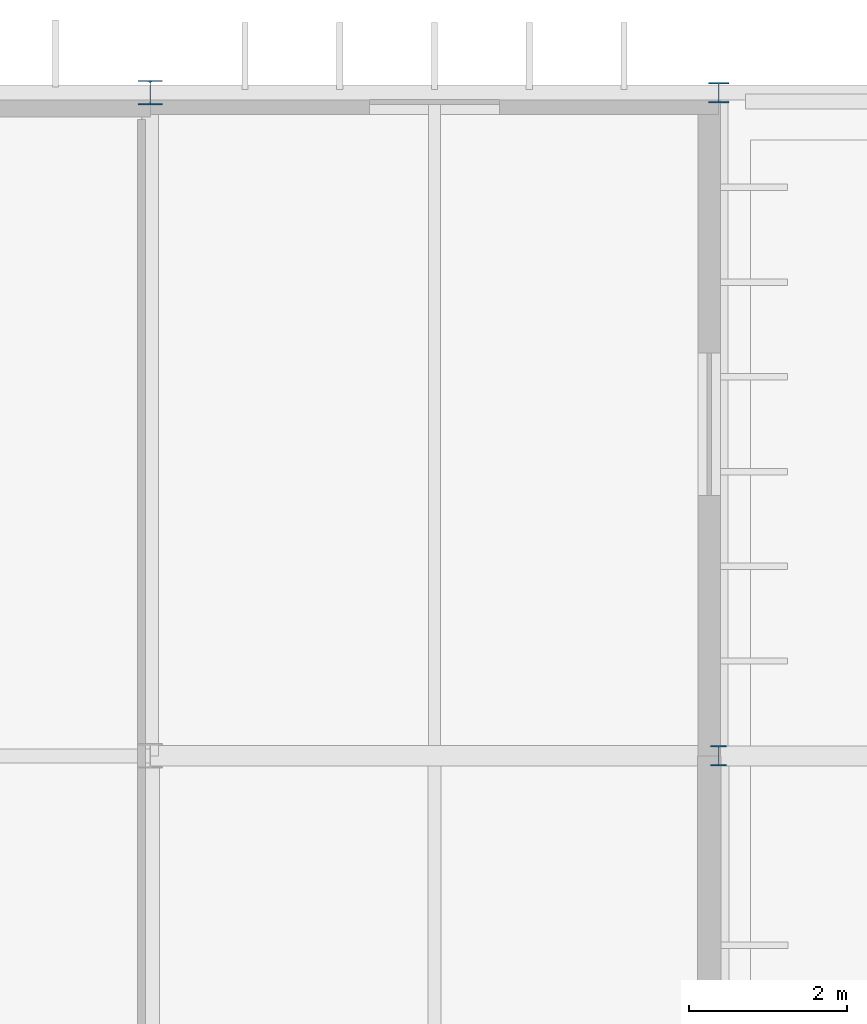
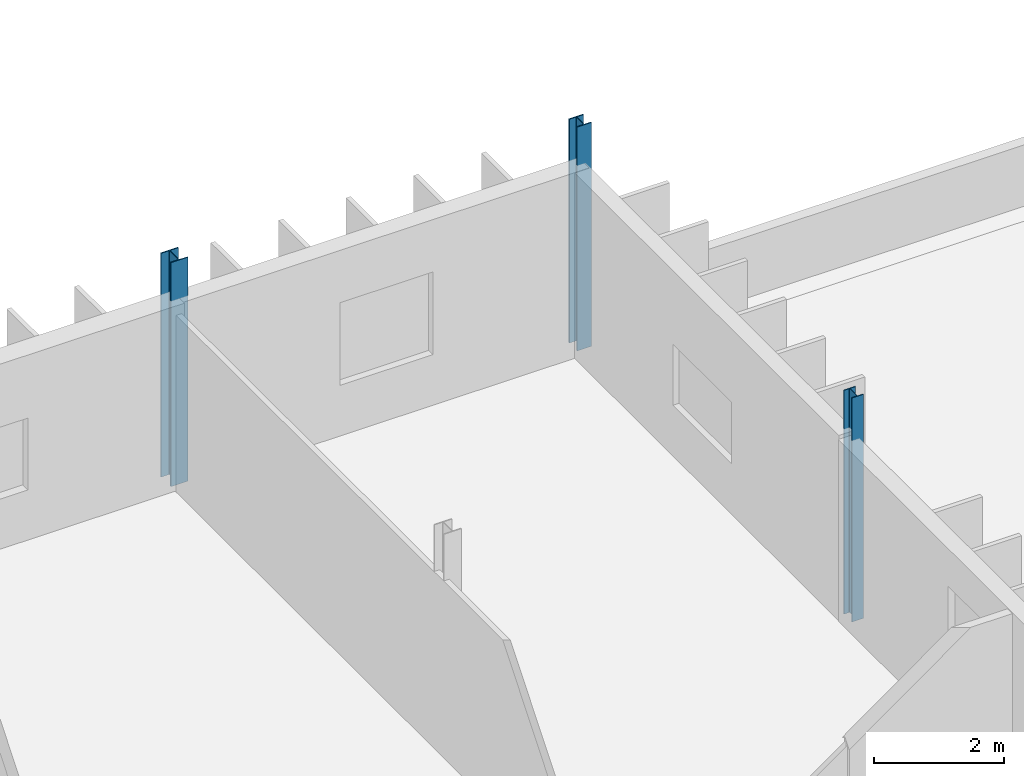
# One storey, part 14 of 61: 3 columns.
"""IFC4 building model written with IfcOpenShell, lengths in metres."""

from ifc_helpers import new_model, si_unit, direction, frame, origin, origin_2d, place, context, subcontext, project, spatial, i_section, extrude, material, material_profile, profile_set, type_object, element, save


model = new_model("IFC4")

# Units and contexts
model_context = context("Model", 3, precision=1e-05, world=origin(), true_north=direction((0.0, 1.0)))
body_context = subcontext(model_context, "Body", "Model", "MODEL_VIEW")
ifc_project = project(units=[si_unit("LENGTHUNIT", "METRE"), si_unit("AREAUNIT", "SQUARE_METRE"), si_unit("VOLUMEUNIT", "CUBIC_METRE"), si_unit("PLANEANGLEUNIT", "RADIAN"), si_unit("MASSUNIT", "GRAM", prefix="KILO")], contexts=[model_context])

# Site, building, storey
site_placement = place(None, origin())
site = spatial("IfcSite", under=ifc_project, at=site_placement, CompositionType="ELEMENT")
building_placement = place(site_placement, origin())
building = spatial("IfcBuilding", under=site, at=building_placement, Name="Qelthora Terrace Specialist Clinic", CompositionType="ELEMENT")
storey_placement = place(building_placement, frame((0.0, 0.0, 13.199951171875)))
storey = spatial("IfcBuildingStorey", under=building, at=storey_placement, Name="L03", CompositionType="ELEMENT", Elevation=13.199951171875)

# Columns
ifc_material = material(Name="Steel S355", Category="steel")
ifc_material_profile_1 = material_profile(ifc_material, i_section(OverallWidth=0.2041015625, OverallDepth=0.257080078125, WebThickness=0.0087890625, FlangeThickness=0.015625, FilletRadius=0.012939453125, at=origin_2d()), Name="W250X67")
ifc_profile_set_1 = profile_set([ifc_material_profile_1], Name="Steel S355")
column_type_1 = type_object("IfcColumnType", Name="COL-W250X67", PredefinedType="COLUMN", material=ifc_profile_set_1)
column_1_placement = place(storey_placement, frame((108.0, 100.800048828125, 0.0), z_axis=(0.0, 0.0, 1.0), x_axis=(1.0, 0.0, 0.0)))
element("IfcColumn", 1, at=column_1_placement, inside=storey, type_object=column_type_1, Name="Column L03-187", PredefinedType="COLUMN", context=body_context, shape_type="SweptSolid", body=[
    extrude(i_section(OverallWidth=0.2041015625, OverallDepth=0.257080078125, WebThickness=0.0087890625, FlangeThickness=0.015625, FilletRadius=0.012939453125, at=origin_2d()), origin(), (0.0, 0.0, 1.0), 4.199951171875),
])
ifc_material_profile_2 = material_profile(ifc_material, i_section(OverallWidth=0.256103515625, OverallDepth=0.260009765625, WebThickness=0.0107421875, FlangeThickness=0.017333984375, FilletRadius=0.012939453125, at=origin_2d()), Name="W250X89")
ifc_profile_set_2 = profile_set([ifc_material_profile_2], Name="Steel S355")
column_type_2 = type_object("IfcColumnType", Name="COL-W250X89", PredefinedType="COLUMN", material=ifc_profile_set_2)
column_2_placement = place(storey_placement, frame((108.0, 109.199951171875, 0.0), z_axis=(0.0, 0.0, 1.0), x_axis=(1.0, 0.0, 0.0)))
element("IfcColumn", 2, at=column_2_placement, inside=storey, type_object=column_type_2, Name="Column L03-188", PredefinedType="COLUMN", context=body_context, shape_type="SweptSolid", body=[
    extrude(i_section(OverallWidth=0.256103515625, OverallDepth=0.260009765625, WebThickness=0.0107421875, FlangeThickness=0.017333984375, FilletRadius=0.012939453125, at=origin_2d()), origin(), (0.0, 0.0, 1.0), 4.199951171875),
])
ifc_material_profile_3 = material_profile(ifc_material, i_section(OverallWidth=0.306884765625, OverallDepth=0.31396484375, WebThickness=0.011962890625, FlangeThickness=0.018798828125, FilletRadius=0.01611328125, at=origin_2d()), Name="W310X118")
ifc_profile_set_3 = profile_set([ifc_material_profile_3], Name="Steel S355")
column_type_3 = type_object("IfcColumnType", Name="COL-W310X118", PredefinedType="COLUMN", material=ifc_profile_set_3)
column_3_placement = place(storey_placement, frame((100.800048828125, 109.199951171875, 0.0), z_axis=(0.0, 0.0, 1.0), x_axis=(1.0, 0.0, 0.0)))
element("IfcColumn", 3, at=column_3_placement, inside=storey, type_object=column_type_3, Name="Column L03-174", PredefinedType="COLUMN", context=body_context, shape_type="SweptSolid", body=[
    extrude(i_section(OverallWidth=0.306884765625, OverallDepth=0.31396484375, WebThickness=0.011962890625, FlangeThickness=0.018798828125, FilletRadius=0.01611328125, at=origin_2d()), origin(), (0.0, 0.0, 1.0), 4.199951171875),
])

save(model, "model.ifc")
